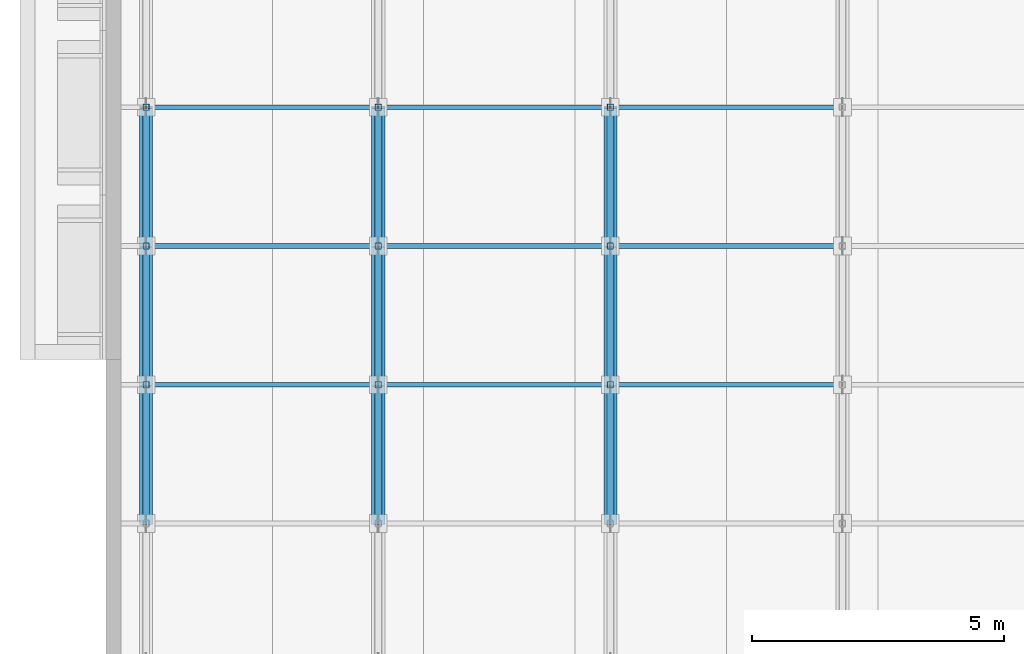
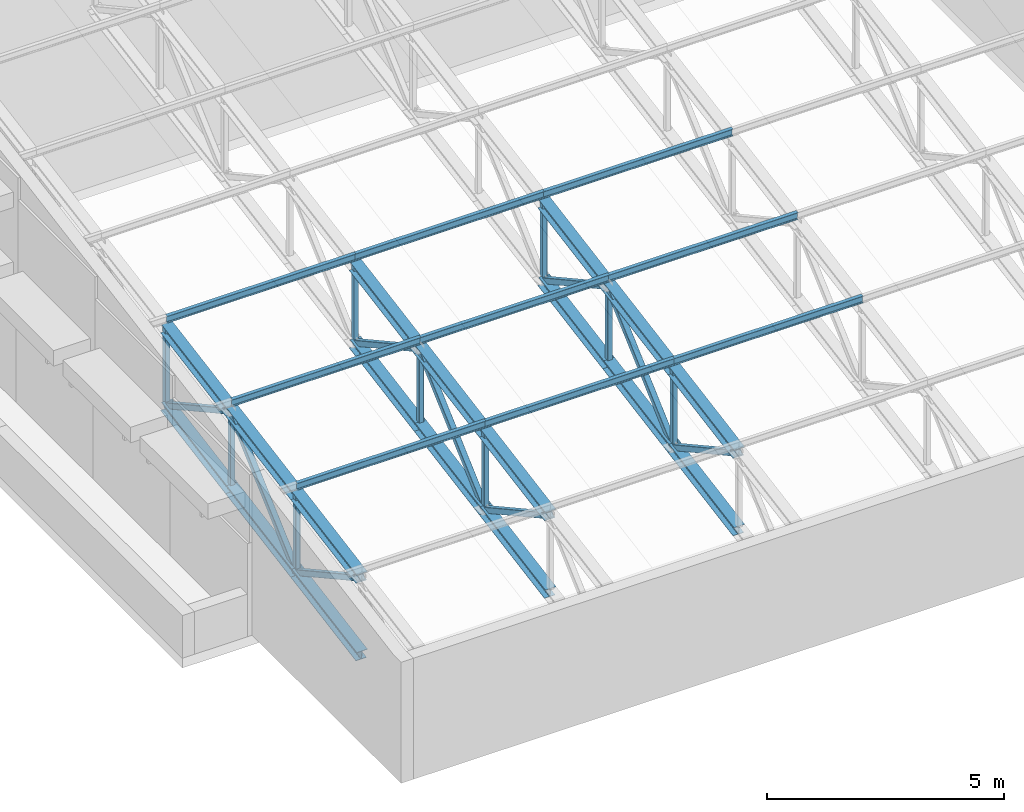
# One storey, part 3 of 22: 45 members.
"""IFC4 building model written with IfcOpenShell, lengths in metres."""

from ifc_helpers import new_model, si_unit, direction, frame, origin, origin_2d, place, context, subcontext, project, spatial, hollow_rectangle, i_section, extrude, material, material_profile, profile_set, type_object, element, save


model = new_model("IFC4")

# Units and contexts
model_context = context("Model", 3, precision=1e-05, world=origin(), true_north=direction((0.0, 1.0)))
body_context = subcontext(model_context, "Body", "Model", "MODEL_VIEW")
ifc_project = project(units=[si_unit("LENGTHUNIT", "METRE"), si_unit("AREAUNIT", "SQUARE_METRE"), si_unit("VOLUMEUNIT", "CUBIC_METRE"), si_unit("PLANEANGLEUNIT", "RADIAN"), si_unit("MASSUNIT", "GRAM", prefix="KILO")], contexts=[model_context])

# Site, building, storey
site_placement = place(None, origin())
site = spatial("IfcSite", under=ifc_project, at=site_placement, CompositionType="ELEMENT")
building_placement = place(site_placement, origin())
building = spatial("IfcBuilding", under=site, at=building_placement, Name="Lunette Opera House", CompositionType="ELEMENT")
storey_placement = place(building_placement, frame((0.0, 0.0, 28.0)))
storey = spatial("IfcBuildingStorey", under=building, at=storey_placement, Name="L05", CompositionType="ELEMENT", Elevation=28.0)

# Members
ifc_material_1 = material(Name="Steel S355", Category="steel")
ifc_material_profile_1 = material_profile(ifc_material_1, i_section(OverallWidth=0.260009765625, OverallDepth=0.25, WebThickness=0.007568359375, FlangeThickness=0.012451171875, FilletRadius=0.02392578125, at=origin_2d()), Name="HEA 260")
ifc_profile_set_1 = profile_set([ifc_material_profile_1], Name="Steel S355")
member_type_1 = type_object("IfcMemberType", Name="CHORD HEA 260", PredefinedType="CHORD", material=ifc_profile_set_1)
for number, where, z_axis, x_axis, name in (
    (1, (10.5, 68.75, 3.179931640625), (0.0, 0.984794998673, 0.173720495593), (-1.0, 0.0, 0.0), "mem-RW-L05-LF-1-TC2"),
    (2, (10.5, 68.75, 1.179931640625), (0.0, 0.984794998673, 0.173720495593), (-1.0, 0.0, 0.0), "mem-RW-L05-LF-1-BC2"),
    (3, (10.5, 71.5, 3.6650390625), (0.0, 0.984809952442, 0.173635703618), (-1.0, 0.0, 0.0), "mem-RW-L05-LF-1-TC3"),
    (4, (10.5, 71.5, 1.6650390625), (0.0, 0.984809952442, 0.173635703618), (-1.0, 0.0, 0.0), "mem-RW-L05-LF-1-BC3"),
    (5, (10.5, 74.25, 4.14990234375), (0.0, 0.984794998673, 0.173720495593), (-1.0, 0.0, 0.0), "mem-RW-L05-LF-1-TC4"),
    (6, (10.5, 74.25, 2.14990234375), (0.0, 0.984794998673, 0.173720495593), (-1.0, 0.0, 0.0), "mem-RW-L05-LF-1-BC4"),
    (7, (15.10009765625, 68.75, 3.179931640625), (0.0, 0.984794998673, 0.173720495593), (-1.0, 0.0, 0.0), "mem-RW-L05-LF-2-TC2"),
    (8, (15.10009765625, 68.75, 1.179931640625), (0.0, 0.984794998673, 0.173720495593), (-1.0, 0.0, 0.0), "mem-RW-L05-LF-2-BC2"),
    (9, (15.10009765625, 71.5, 3.6650390625), (0.0, 0.984809952442, 0.173635703618), (-1.0, 0.0, 0.0), "mem-RW-L05-LF-2-TC3"),
    (10, (15.10009765625, 71.5, 1.6650390625), (0.0, 0.984809952442, 0.173635703618), (-1.0, 0.0, 0.0), "mem-RW-L05-LF-2-BC3"),
    (11, (15.10009765625, 74.25, 4.14990234375), (0.0, 0.984794998673, 0.173720495593), (-1.0, 0.0, 0.0), "mem-RW-L05-LF-2-TC4"),
    (12, (15.10009765625, 74.25, 2.14990234375), (0.0, 0.984794998673, 0.173720495593), (-1.0, 0.0, 0.0), "mem-RW-L05-LF-2-BC4"),
    (13, (19.699951171875, 68.75, 3.179931640625), (0.0, 0.984794998673, 0.173720495593), (-1.0, 0.0, 0.0), "mem-RW-L05-LF-3-TC2"),
    (14, (19.699951171875, 68.75, 1.179931640625), (0.0, 0.984794998673, 0.173720495593), (-1.0, 0.0, 0.0), "mem-RW-L05-LF-3-BC2"),
    (15, (19.699951171875, 71.5, 3.6650390625), (0.0, 0.984809952442, 0.173635703618), (-1.0, 0.0, 0.0), "mem-RW-L05-LF-3-TC3"),
    (16, (19.699951171875, 71.5, 1.6650390625), (0.0, 0.984809952442, 0.173635703618), (-1.0, 0.0, 0.0), "mem-RW-L05-LF-3-BC3"),
    (17, (19.699951171875, 74.25, 4.14990234375), (0.0, 0.984794998673, 0.173720495593), (-1.0, 0.0, 0.0), "mem-RW-L05-LF-3-TC4"),
    (18, (19.699951171875, 74.25, 2.14990234375), (0.0, 0.984794998673, 0.173720495593), (-1.0, 0.0, 0.0), "mem-RW-L05-LF-3-BC4"),
):
    element("IfcMember", number, at=place(storey_placement, frame(where, z_axis=z_axis, x_axis=x_axis)), inside=storey, type_object=member_type_1, Name=name, PredefinedType="CHORD", context=body_context, shape_type="SweptSolid", body=[
        extrude(i_section(OverallWidth=0.260009765625, OverallDepth=0.25, WebThickness=0.007568359375, FlangeThickness=0.012451171875, FilletRadius=0.02392578125, at=origin_2d()), origin(), (0.0, 0.0, 1.0), 2.79248046875),
    ])
ifc_material_2 = material(Name="Steel S355", Category="steel")
ifc_material_profile_2 = material_profile(ifc_material_2, hollow_rectangle(XDim=0.139892578125, YDim=0.139892578125, WallThickness=0.006103515625, InnerFilletRadius=0.006103515625, OuterFilletRadius=0.011962890625, at=origin_2d()), Name="RHS 140X140X6")
ifc_profile_set_2 = profile_set([ifc_material_profile_2], Name="Steel S355")
member_type_2 = type_object("IfcMemberType", Name="DIAGONAL RHS 140X140X6", PredefinedType="BRACE", material=ifc_profile_set_2)
member_1_placement = place(storey_placement, frame((10.5, 68.75, 3.179931640625), z_axis=(0.0, 0.875893925299, -0.482503711513), x_axis=(-1.0, 0.0, 0.0)))
element("IfcMember", 19, at=member_1_placement, inside=storey, type_object=member_type_2, Name="mem-RW-L05-LF-1-TD2", PredefinedType="BRACE", context=body_context, shape_type="SweptSolid", body=[
    extrude(hollow_rectangle(XDim=0.139892578125, YDim=0.139892578125, WallThickness=0.006103515625, InnerFilletRadius=0.006103515625, OuterFilletRadius=0.011962890625, at=origin_2d()), origin(), (0.0, 0.0, 1.0), 3.1396484375),
])
member_2_placement = place(storey_placement, frame((10.5, 71.5, 1.6650390625), z_axis=(0.0, 0.741969451931, 0.670433689787), x_axis=(-1.0, 0.0, 0.0)))
element("IfcMember", 20, at=member_2_placement, inside=storey, type_object=member_type_2, Name="mem-RW-L05-LF-1-TD3", PredefinedType="BRACE", context=body_context, shape_type="SweptSolid", body=[
    extrude(hollow_rectangle(XDim=0.139892578125, YDim=0.139892578125, WallThickness=0.006103515625, InnerFilletRadius=0.006103515625, OuterFilletRadius=0.011962890625, at=origin_2d()), origin(), (0.0, 0.0, 1.0), 3.706298828125),
])
for number, where, z_axis, x_axis, name in (
    (21, (10.5, 74.25, 4.14990234375), (0.0, 0.875893925299, -0.482503711513), (-1.0, 0.0, 0.0), "mem-RW-L05-LF-1-TD4"),
    (22, (15.10009765625, 68.75, 3.179931640625), (0.0, 0.875893925299, -0.482503711513), (-1.0, 0.0, 0.0), "mem-RW-L05-LF-2-TD2"),
):
    element("IfcMember", number, at=place(storey_placement, frame(where, z_axis=z_axis, x_axis=x_axis)), inside=storey, type_object=member_type_2, Name=name, PredefinedType="BRACE", context=body_context, shape_type="SweptSolid", body=[
        extrude(hollow_rectangle(XDim=0.139892578125, YDim=0.139892578125, WallThickness=0.006103515625, InnerFilletRadius=0.006103515625, OuterFilletRadius=0.011962890625, at=origin_2d()), origin(), (0.0, 0.0, 1.0), 3.1396484375),
    ])
member_3_placement = place(storey_placement, frame((15.10009765625, 71.5, 1.6650390625), z_axis=(0.0, 0.741969451931, 0.670433689787), x_axis=(-1.0, 0.0, 0.0)))
element("IfcMember", 23, at=member_3_placement, inside=storey, type_object=member_type_2, Name="mem-RW-L05-LF-2-TD3", PredefinedType="BRACE", context=body_context, shape_type="SweptSolid", body=[
    extrude(hollow_rectangle(XDim=0.139892578125, YDim=0.139892578125, WallThickness=0.006103515625, InnerFilletRadius=0.006103515625, OuterFilletRadius=0.011962890625, at=origin_2d()), origin(), (0.0, 0.0, 1.0), 3.706298828125),
])
for number, where, z_axis, x_axis, name in (
    (24, (15.10009765625, 74.25, 4.14990234375), (0.0, 0.875893925299, -0.482503711513), (-1.0, 0.0, 0.0), "mem-RW-L05-LF-2-TD4"),
    (25, (19.699951171875, 68.75, 3.179931640625), (0.0, 0.875893925299, -0.482503711513), (-1.0, 0.0, 0.0), "mem-RW-L05-LF-3-TD2"),
):
    element("IfcMember", number, at=place(storey_placement, frame(where, z_axis=z_axis, x_axis=x_axis)), inside=storey, type_object=member_type_2, Name=name, PredefinedType="BRACE", context=body_context, shape_type="SweptSolid", body=[
        extrude(hollow_rectangle(XDim=0.139892578125, YDim=0.139892578125, WallThickness=0.006103515625, InnerFilletRadius=0.006103515625, OuterFilletRadius=0.011962890625, at=origin_2d()), origin(), (0.0, 0.0, 1.0), 3.1396484375),
    ])
member_4_placement = place(storey_placement, frame((19.699951171875, 71.5, 1.6650390625), z_axis=(0.0, 0.741969451931, 0.670433689787), x_axis=(-1.0, 0.0, 0.0)))
element("IfcMember", 26, at=member_4_placement, inside=storey, type_object=member_type_2, Name="mem-RW-L05-LF-3-TD3", PredefinedType="BRACE", context=body_context, shape_type="SweptSolid", body=[
    extrude(hollow_rectangle(XDim=0.139892578125, YDim=0.139892578125, WallThickness=0.006103515625, InnerFilletRadius=0.006103515625, OuterFilletRadius=0.011962890625, at=origin_2d()), origin(), (0.0, 0.0, 1.0), 3.706298828125),
])
member_5_placement = place(storey_placement, frame((19.699951171875, 74.25, 4.14990234375), z_axis=(0.0, 0.875893925299, -0.482503711513), x_axis=(-1.0, 0.0, 0.0)))
element("IfcMember", 27, at=member_5_placement, inside=storey, type_object=member_type_2, Name="mem-RW-L05-LF-3-TD4", PredefinedType="BRACE", context=body_context, shape_type="SweptSolid", body=[
    extrude(hollow_rectangle(XDim=0.139892578125, YDim=0.139892578125, WallThickness=0.006103515625, InnerFilletRadius=0.006103515625, OuterFilletRadius=0.011962890625, at=origin_2d()), origin(), (0.0, 0.0, 1.0), 3.1396484375),
])
ifc_material_3 = material(Name="Steel S355", Category="steel")
ifc_material_profile_3 = material_profile(ifc_material_3, i_section(OverallWidth=0.091064453125, OverallDepth=0.179931640625, WebThickness=0.00537109375, FlangeThickness=0.008056640625, FilletRadius=0.009033203125, at=origin_2d()), Name="IPE 180")
ifc_profile_set_3 = profile_set([ifc_material_profile_3], Name="Steel S355")
member_type_3 = type_object("IfcMemberType", Name="PURLIN IPE 180", PredefinedType="PURLIN", material=ifc_profile_set_3)
member_6_placement = place(storey_placement, frame((10.5, 71.5, 3.8798828125), z_axis=(1.0, 0.0, 0.0), x_axis=(0.0, 1.0, 0.0)))
element("IfcMember", 28, at=member_6_placement, inside=storey, type_object=member_type_3, Name="mem-RW-L05-LF-PU2-2", PredefinedType="PURLIN", context=body_context, shape_type="SweptSolid", body=[
    extrude(i_section(OverallWidth=0.091064453125, OverallDepth=0.179931640625, WebThickness=0.00537109375, FlangeThickness=0.008056640625, FilletRadius=0.009033203125, at=origin_2d()), origin(), (0.0, 0.0, 1.0), 4.60009765625),
])
member_7_placement = place(storey_placement, frame((15.10009765625, 71.5, 3.8798828125), z_axis=(1.0, 0.0, 0.0), x_axis=(0.0, 1.0, 0.0)))
element("IfcMember", 29, at=member_7_placement, inside=storey, type_object=member_type_3, Name="mem-RW-L05-LF-PU2-3", PredefinedType="PURLIN", context=body_context, shape_type="SweptSolid", body=[
    extrude(i_section(OverallWidth=0.091064453125, OverallDepth=0.179931640625, WebThickness=0.00537109375, FlangeThickness=0.008056640625, FilletRadius=0.009033203125, at=origin_2d()), origin(), (0.0, 0.0, 1.0), 4.599853515625),
])
for number, where, z_axis, x_axis, name in (
    (30, (19.699951171875, 71.5, 3.8798828125), (1.0, 0.0, 0.0), (0.0, 1.0, 0.0), "mem-RW-L05-LF-PU2-4"),
    (31, (10.5, 74.25, 4.364990234375), (1.0, 0.0, 0.0), (0.0, 1.0, 0.0), "mem-RW-L05-LF-PU3-2"),
):
    element("IfcMember", number, at=place(storey_placement, frame(where, z_axis=z_axis, x_axis=x_axis)), inside=storey, type_object=member_type_3, Name=name, PredefinedType="PURLIN", context=body_context, shape_type="SweptSolid", body=[
        extrude(i_section(OverallWidth=0.091064453125, OverallDepth=0.179931640625, WebThickness=0.00537109375, FlangeThickness=0.008056640625, FilletRadius=0.009033203125, at=origin_2d()), origin(), (0.0, 0.0, 1.0), 4.60009765625),
    ])
member_8_placement = place(storey_placement, frame((15.10009765625, 74.25, 4.364990234375), z_axis=(1.0, 0.0, 0.0), x_axis=(0.0, 1.0, 0.0)))
element("IfcMember", 32, at=member_8_placement, inside=storey, type_object=member_type_3, Name="mem-RW-L05-LF-PU3-3", PredefinedType="PURLIN", context=body_context, shape_type="SweptSolid", body=[
    extrude(i_section(OverallWidth=0.091064453125, OverallDepth=0.179931640625, WebThickness=0.00537109375, FlangeThickness=0.008056640625, FilletRadius=0.009033203125, at=origin_2d()), origin(), (0.0, 0.0, 1.0), 4.599853515625),
])
for number, where, z_axis, x_axis, name in (
    (33, (19.699951171875, 74.25, 4.364990234375), (1.0, 0.0, 0.0), (0.0, 1.0, 0.0), "mem-RW-L05-LF-PU3-4"),
    (34, (10.5, 77.0, 4.85009765625), (1.0, 0.0, 0.0), (0.0, 1.0, 0.0), "mem-RW-L05-LF-PU4-2"),
):
    element("IfcMember", number, at=place(storey_placement, frame(where, z_axis=z_axis, x_axis=x_axis)), inside=storey, type_object=member_type_3, Name=name, PredefinedType="PURLIN", context=body_context, shape_type="SweptSolid", body=[
        extrude(i_section(OverallWidth=0.091064453125, OverallDepth=0.179931640625, WebThickness=0.00537109375, FlangeThickness=0.008056640625, FilletRadius=0.009033203125, at=origin_2d()), origin(), (0.0, 0.0, 1.0), 4.60009765625),
    ])
member_9_placement = place(storey_placement, frame((15.10009765625, 77.0, 4.85009765625), z_axis=(1.0, 0.0, 0.0), x_axis=(0.0, 1.0, 0.0)))
element("IfcMember", 35, at=member_9_placement, inside=storey, type_object=member_type_3, Name="mem-RW-L05-LF-PU4-3", PredefinedType="PURLIN", context=body_context, shape_type="SweptSolid", body=[
    extrude(i_section(OverallWidth=0.091064453125, OverallDepth=0.179931640625, WebThickness=0.00537109375, FlangeThickness=0.008056640625, FilletRadius=0.009033203125, at=origin_2d()), origin(), (0.0, 0.0, 1.0), 4.599853515625),
])
member_10_placement = place(storey_placement, frame((19.699951171875, 77.0, 4.85009765625), z_axis=(1.0, 0.0, 0.0), x_axis=(0.0, 1.0, 0.0)))
element("IfcMember", 36, at=member_10_placement, inside=storey, type_object=member_type_3, Name="mem-RW-L05-LF-PU4-4", PredefinedType="PURLIN", context=body_context, shape_type="SweptSolid", body=[
    extrude(i_section(OverallWidth=0.091064453125, OverallDepth=0.179931640625, WebThickness=0.00537109375, FlangeThickness=0.008056640625, FilletRadius=0.009033203125, at=origin_2d()), origin(), (0.0, 0.0, 1.0), 4.60009765625),
])
ifc_material_4 = material(Name="Steel S355", Category="steel")
ifc_material_profile_4 = material_profile(ifc_material_4, hollow_rectangle(XDim=0.1201171875, YDim=0.1201171875, WallThickness=0.0048828125, InnerFilletRadius=0.0048828125, OuterFilletRadius=0.010009765625, at=origin_2d()), Name="RHS 120X120X5")
ifc_profile_set_4 = profile_set([ifc_material_profile_4], Name="Steel S355")
member_type_4 = type_object("IfcMemberType", Name="VERTICAL RHS 120X120X5", PredefinedType="POST", material=ifc_profile_set_4)
for number, where, z_axis, x_axis, name in (
    (37, (10.5, 71.5, 1.6650390625), (0.0, 0.0, 1.0), (1.0, 0.0, 0.0), "mem-RW-L05-LF-1-TV3"),
    (38, (10.5, 74.25, 2.14990234375), (0.0, 0.0, 1.0), (1.0, 0.0, 0.0), "mem-RW-L05-LF-1-TV4"),
    (39, (10.5, 77.0, 2.635009765625), (0.0, 0.0, 1.0), (1.0, 0.0, 0.0), "mem-RW-L05-LF-1-TV5"),
    (40, (15.10009765625, 71.5, 1.6650390625), (0.0, 0.0, 1.0), (1.0, 0.0, 0.0), "mem-RW-L05-LF-2-TV3"),
    (41, (15.10009765625, 74.25, 2.14990234375), (0.0, 0.0, 1.0), (1.0, 0.0, 0.0), "mem-RW-L05-LF-2-TV4"),
    (42, (15.10009765625, 77.0, 2.635009765625), (0.0, 0.0, 1.0), (1.0, 0.0, 0.0), "mem-RW-L05-LF-2-TV5"),
    (43, (19.699951171875, 71.5, 1.6650390625), (0.0, 0.0, 1.0), (1.0, 0.0, 0.0), "mem-RW-L05-LF-3-TV3"),
    (44, (19.699951171875, 74.25, 2.14990234375), (0.0, 0.0, 1.0), (1.0, 0.0, 0.0), "mem-RW-L05-LF-3-TV4"),
    (45, (19.699951171875, 77.0, 2.635009765625), (0.0, 0.0, 1.0), (1.0, 0.0, 0.0), "mem-RW-L05-LF-3-TV5"),
):
    element("IfcMember", number, at=place(storey_placement, frame(where, z_axis=z_axis, x_axis=x_axis)), inside=storey, type_object=member_type_4, Name=name, PredefinedType="POST", context=body_context, shape_type="SweptSolid", body=[
        extrude(hollow_rectangle(XDim=0.1201171875, YDim=0.1201171875, WallThickness=0.0048828125, InnerFilletRadius=0.0048828125, OuterFilletRadius=0.010009765625, at=origin_2d()), origin(), (0.0, 0.0, 1.0), 2.0),
    ])

save(model, "model.ifc")
